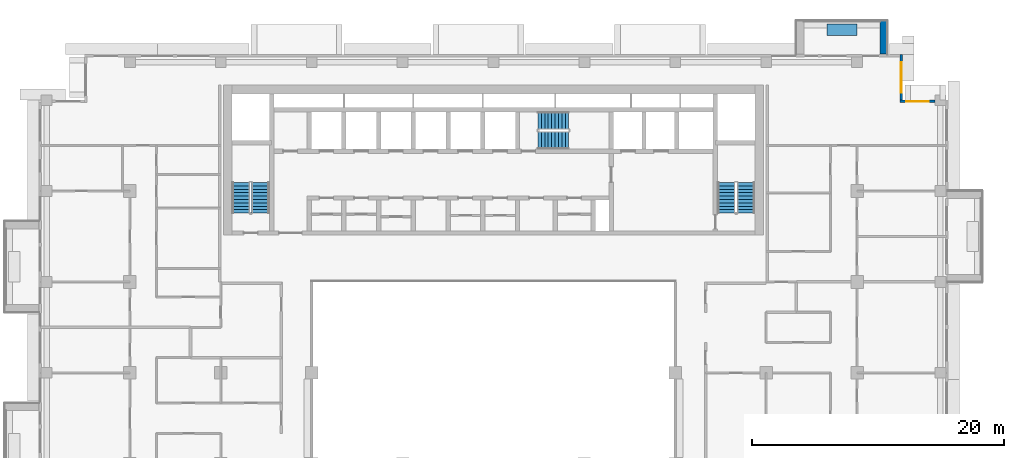
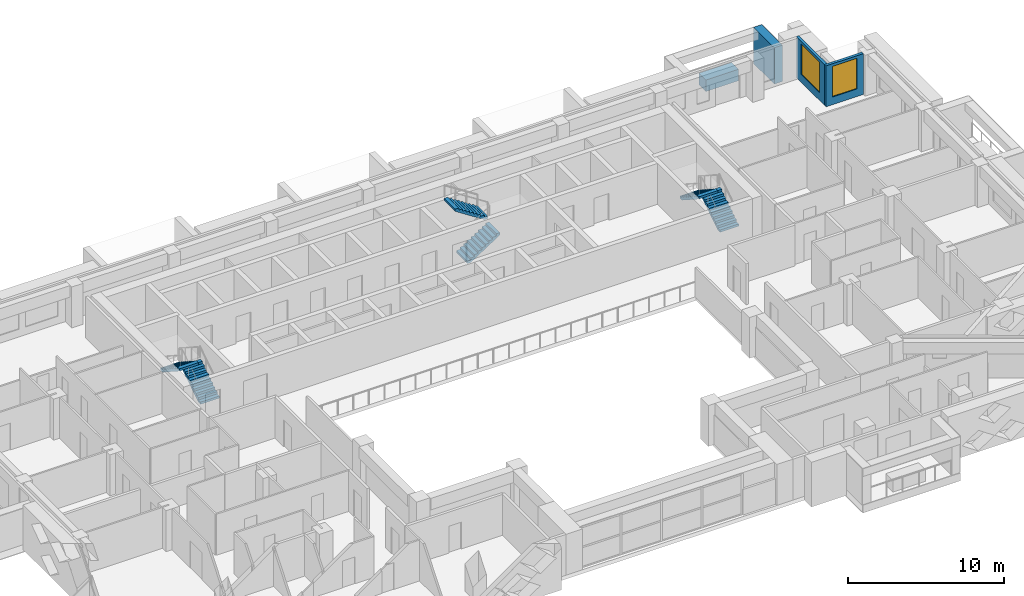
# One storey, part 13 of 20: 6 stair flights, 4 walls, 2 windows, 2 openings, 3 elements without a shape of their own.
"""IFC4 building model written with IfcOpenShell, lengths in metres."""

from ifc_helpers import new_model, si_unit, direction, frame, frame_2d, origin, place, context, subcontext, project, spatial, polyline, rectangle, outline, extrude, material, layer, layer_set, type_object, element, fill, aggregate, save


model = new_model("IFC4")

# Units and contexts
model_context = context("Model", 3, precision=1e-05, world=origin(), true_north=direction((0.0, 1.0)))
body_context = subcontext(model_context, "Body", "Model", "MODEL_VIEW")
ifc_project = project(units=[si_unit("LENGTHUNIT", "METRE"), si_unit("AREAUNIT", "SQUARE_METRE"), si_unit("VOLUMEUNIT", "CUBIC_METRE"), si_unit("PLANEANGLEUNIT", "RADIAN"), si_unit("MASSUNIT", "GRAM", prefix="KILO")], contexts=[model_context])

# Site, building, storey
site_placement = place(None, origin())
site = spatial("IfcSite", under=ifc_project, at=site_placement, CompositionType="ELEMENT")
building_placement = place(site_placement, origin())
building = spatial("IfcBuilding", under=site, at=building_placement, Name="Saffron Iwan Residences", CompositionType="ELEMENT")
storey_placement = place(building_placement, frame((0.0, 0.0, 157.0)))
storey = spatial("IfcBuildingStorey", under=building, at=storey_placement, Name="L41", CompositionType="ELEMENT", Elevation=157.0)

# Walls
ifc_material_1 = material(Name="Concrete C50/60 white painted", Category="concrete")
ifc_layer_1 = layer(ifc_material_1, 0.60009765625)
ifc_layer_set_1 = layer_set([ifc_layer_1], Name="Concrete C50/60 white painted")
wall_type_1 = type_object("IfcWallType", Name="BALCONY FIN 600", PredefinedType="SOLIDWALL", material=ifc_layer_set_1)
wall_1_placement = place(storey_placement, frame((81.300048828125, 80.449951171875, 0.0), z_axis=(0.0, 0.0, 1.0), x_axis=(0.0, 1.0, 0.0)))
element("IfcWall", 1, at=wall_1_placement, inside=storey, type_object=wall_type_1, Name="Balcony fin L41 F5-0a", PredefinedType="SOLIDWALL", context=body_context, shape_type="SweptSolid", body=[
    extrude(rectangle(XDim=2.650146484375, YDim=0.60009765625, at=frame_2d((1.3251953125, 0.0))), origin(), (0.0, 0.0, 1.0), 2.85009765625),
])
ifc_material_2 = material(Name="Concrete C35/45 white painted", Category="concrete")
ifc_layer_2 = layer(ifc_material_2, 0.14990234375)
ifc_layer_set_2 = layer_set([ifc_layer_2], Name="Concrete C35/45 white painted")
wall_type_2 = type_object("IfcWallType", Name="BALCONY PLANTER", PredefinedType="SOLIDWALL", material=ifc_layer_set_2)
wall_2_placement = place(storey_placement, frame((79.199951171875, 82.375, 0.0), z_axis=(0.0, 0.0, 1.0), x_axis=(-1.0, 0.0, 0.0)))
element("IfcWall", 2, at=wall_2_placement, inside=storey, type_object=wall_type_2, Name="PLANTER L41 F5-0", PredefinedType="SOLIDWALL", context=body_context, shape_type="SweptSolid", body=[
    extrude(rectangle(XDim=2.39990234375, YDim=0.89990234375, at=frame_2d((1.199951171875, 0.0))), origin(), (0.0, 0.0, 1.0), 0.89990234375),
])

# Wall, opening, window
ifc_material_3 = material(Name="Concrete C40/50", Category="concrete")
ifc_layer_3 = layer(ifc_material_3, 0.199951171875)
ifc_layer_set_3 = layer_set([ifc_layer_3], Name="Concrete C40/50")
wall_type_3 = type_object("IfcWallType", Name="EXTERNAL WALL 200", PredefinedType="SOLIDWALL", material=ifc_layer_set_3)
wall_3_placement = place(storey_placement, frame((85.375, 76.699951171875, 0.0), z_axis=(0.0, 0.0, 1.0), x_axis=(-1.0, 0.0, 0.0)))
wall_3 = element("IfcWall", 3, at=wall_3_placement, inside=storey, type_object=wall_type_3, Name="External wall L41 F3.0", PredefinedType="SOLIDWALL", context=body_context, shape_type="SweptSolid", body=[
    extrude(rectangle(XDim=2.77490234375, YDim=0.199951171875, at=frame_2d((1.387451171875, 0.0))), origin(), (0.0, 0.0, 1.0), 3.199951171875),
])
opening_1_placement = place(wall_3_placement, frame((0.487548828125, 0.0, 0.60009765625)))
opening_1 = element("IfcOpeningElement", 4, at=opening_1_placement, cuts=wall_3, Name="Opening W8", PredefinedType="OPENING", context=body_context, shape_type="SweptSolid", body=[
    extrude(rectangle(XDim=1.800048828125, YDim=2.39990234375, at=frame_2d((0.89990234375, 1.199951171875))), frame((0.0, 0.10986328125, 0.0), z_axis=(0.0, -1.0, 0.0), x_axis=(1.0, 0.0, 0.0)), (0.0, 0.0, 1.0), 0.219970703125),
])
ifc_material_4 = material(Name="Clear glass, laminated double glazed", Category="glass")
window_type_1 = type_object("IfcWindowType", Name="WINDOW 1800 x 2400", PartitioningType="DOUBLE_PANEL_VERTICAL", PredefinedType="WINDOW", material=ifc_material_4)
window_1_placement = place(opening_1_placement, origin())
window_1 = element("IfcWindow", 5, at=window_1_placement, inside=storey, type_object=window_type_1, Name="Window L41 F3.0", OverallHeight=2.39990234375, OverallWidth=1.800048828125, PartitioningType="DOUBLE_PANEL_VERTICAL", PredefinedType="WINDOW", context=body_context, shape_type="SweptSolid", body=[
    extrude(rectangle(XDim=1.800048828125, YDim=2.39990234375, at=frame_2d((0.89990234375, 1.199951171875))), frame((0.0, 0.030029296875, 0.0), z_axis=(0.0, -1.0, 0.0), x_axis=(1.0, 0.0, 0.0)), (0.0, 0.0, 1.0), 0.06005859375),
])
fill(opening_1, window_1)

wall_4_placement = place(storey_placement, frame((82.699951171875, 76.800048828125, 0.0), z_axis=(0.0, 0.0, 1.0), x_axis=(0.0, 1.0, 0.0)))
wall_4 = element("IfcWall", 6, at=wall_4_placement, inside=storey, type_object=wall_type_3, Name="External wall L41 F4.0", PredefinedType="SOLIDWALL", context=body_context, shape_type="SweptSolid", body=[
    extrude(rectangle(XDim=3.599853515625, YDim=0.199951171875, at=frame_2d((1.7998046875, 0.0))), origin(), (0.0, 0.0, 1.0), 3.199951171875),
])
opening_2_placement = place(wall_4_placement, frame((0.60009765625, 0.0, 0.60009765625)))
opening_2 = element("IfcOpeningElement", 7, at=opening_2_placement, cuts=wall_4, Name="Opening W1", PredefinedType="OPENING", context=body_context, shape_type="SweptSolid", body=[
    extrude(rectangle(XDim=2.39990234375, YDim=2.39990234375, at=frame_2d((1.199951171875, 1.199951171875))), frame((0.0, 0.10986328125, 0.0), z_axis=(0.0, -1.0, 0.0), x_axis=(1.0, 0.0, 0.0)), (0.0, 0.0, 1.0), 0.219970703125),
])
window_type_2 = type_object("IfcWindowType", Name="WINDOW 2400 x 2400", PartitioningType="DOUBLE_PANEL_VERTICAL", PredefinedType="WINDOW", material=ifc_material_4)
window_2_placement = place(opening_2_placement, origin())
window_2 = element("IfcWindow", 8, at=window_2_placement, inside=storey, type_object=window_type_2, Name="Window L41 F4.0", OverallHeight=2.39990234375, OverallWidth=2.39990234375, PartitioningType="DOUBLE_PANEL_VERTICAL", PredefinedType="WINDOW", context=body_context, shape_type="SweptSolid", body=[
    extrude(rectangle(XDim=2.39990234375, YDim=2.39990234375, at=frame_2d((1.199951171875, 1.199951171875))), frame((0.0, 0.030029296875, 0.0), z_axis=(0.0, -1.0, 0.0), x_axis=(1.0, 0.0, 0.0)), (0.0, 0.0, 1.0), 0.06005859375),
])
fill(opening_2, window_2)

# Stair, stair flights
ifc_material_5 = material(Name="Concrete C50/60", Category="concrete")
stair_type = type_object("IfcStairType", Name="Stair ST-CORE", PredefinedType="HALF_TURN_STAIR", material=ifc_material_5)
stair_1_placement = place(storey_placement, origin())
stair_1 = element("IfcStair", 9, at=stair_1_placement, inside=storey, type_object=stair_type, Name="L41 Exit Stair ST-W", PredefinedType="HALF_TURN_STAIR")
ifc_layer_4 = layer(ifc_material_5, 0.14990234375)
ifc_layer_set_4 = layer_set([ifc_layer_4], Name="Concrete C50/60")
stair_flight_type = type_object("IfcStairFlightType", Name="Stair flight SFL-RC", PredefinedType="STRAIGHT", material=ifc_layer_set_4)
stair_flight_1_placement = place(storey_placement, frame((31.949951171875, 67.85009765625, 0.0), z_axis=(0.0, 0.0, 1.0), x_axis=(0.0, 1.0, 0.0)))
stair_flight_1 = element("IfcStairFlight", 10, at=stair_flight_1_placement, type_object=stair_flight_type, Name="ST-W flight 1", NumberOfRisers=10, NumberOfTreads=9, PredefinedType="STRAIGHT", RiserHeight=0.175, TreadLength=0.27, context=body_context, shape_type="SweptSolid", body=[
    extrude(outline(polyline([(0.0, 0.0), (0.0, 0.175048828125), (0.27001953125, 0.175048828125), (0.27001953125, 0.35009765625), (0.5400390625, 0.35009765625), (0.5400390625, 0.52490234375), (0.81005859375, 0.52490234375), (0.81005859375, 0.699951171875), (1.080078125, 0.699951171875), (1.080078125, 0.875), (1.35009765625, 0.875), (1.35009765625, 1.050048828125), (1.6201171875, 1.050048828125), (1.6201171875, 1.22509765625), (1.889892578125, 1.22509765625), (1.889892578125, 1.39990234375), (2.159912109375, 1.39990234375), (2.159912109375, 1.574951171875), (2.429931640625, 1.574951171875), (2.429931640625, 1.75), (2.429931640625, 1.396484375), (0.275634765625, 0.0), (0.0, 0.0)])), frame((0.0, 0.699951171875, 0.0), z_axis=(0.0, -1.0, 0.0), x_axis=(1.0, 0.0, 0.0)), (0.0, 0.0, 1.0), 1.39990234375),
])
stair_flight_2_placement = place(storey_placement, frame((30.39990234375, 70.280029296875, 1.75), z_axis=(0.0, 0.0, 1.0), x_axis=(0.0, -1.0, 0.0)))
stair_flight_2 = element("IfcStairFlight", 11, at=stair_flight_2_placement, type_object=stair_flight_type, Name="ST-W flight 2", NumberOfRisers=10, NumberOfTreads=9, PredefinedType="STRAIGHT", RiserHeight=0.175, TreadLength=0.27, context=body_context, shape_type="SweptSolid", body=[
    extrude(outline(polyline([(0.0, 0.0), (0.0, 0.175048828125), (0.27001953125, 0.175048828125), (0.27001953125, 0.35009765625), (0.5400390625, 0.35009765625), (0.5400390625, 0.52490234375), (0.81005859375, 0.52490234375), (0.81005859375, 0.699951171875), (1.080078125, 0.699951171875), (1.080078125, 0.875), (1.35009765625, 0.875), (1.35009765625, 1.050048828125), (1.6201171875, 1.050048828125), (1.6201171875, 1.22509765625), (1.889892578125, 1.22509765625), (1.889892578125, 1.39990234375), (2.159912109375, 1.39990234375), (2.159912109375, 1.574951171875), (2.429931640625, 1.574951171875), (2.429931640625, 1.75), (2.429931640625, 1.396484375), (0.275634765625, 0.0), (0.0, 0.0)])), frame((0.0, 0.699951171875, 0.0), z_axis=(0.0, -1.0, 0.0), x_axis=(1.0, 0.0, 0.0)), (0.0, 0.0, 1.0), 1.39990234375),
])
aggregate(stair_1, [stair_flight_1, stair_flight_2])

stair_2_placement = place(storey_placement, origin())
stair_2 = element("IfcStair", 12, at=stair_2_placement, inside=storey, type_object=stair_type, Name="L41 Exit Stair ST-C", PredefinedType="HALF_TURN_STAIR")
stair_flight_3_placement = place(storey_placement, frame((53.925048828125, 73.625, 0.0), z_axis=(0.0, 0.0, 1.0), x_axis=(1.0, 0.0, 0.0)))
stair_flight_3 = element("IfcStairFlight", 13, at=stair_flight_3_placement, type_object=stair_flight_type, Name="ST-C flight 1", NumberOfRisers=10, NumberOfTreads=9, PredefinedType="STRAIGHT", RiserHeight=0.175, TreadLength=0.27, context=body_context, shape_type="SweptSolid", body=[
    extrude(outline(polyline([(0.0, 0.0), (0.0, 0.175048828125), (0.27001953125, 0.175048828125), (0.27001953125, 0.35009765625), (0.5400390625, 0.35009765625), (0.5400390625, 0.52490234375), (0.81005859375, 0.52490234375), (0.81005859375, 0.699951171875), (1.080078125, 0.699951171875), (1.080078125, 0.875), (1.35009765625, 0.875), (1.35009765625, 1.050048828125), (1.6201171875, 1.050048828125), (1.6201171875, 1.22509765625), (1.889892578125, 1.22509765625), (1.889892578125, 1.39990234375), (2.159912109375, 1.39990234375), (2.159912109375, 1.574951171875), (2.429931640625, 1.574951171875), (2.429931640625, 1.75), (2.429931640625, 1.396484375), (0.275634765625, 0.0), (0.0, 0.0)])), frame((0.0, 0.699951171875, 0.0), z_axis=(0.0, -1.0, 0.0), x_axis=(1.0, 0.0, 0.0)), (0.0, 0.0, 1.0), 1.39990234375),
])
stair_flight_4_placement = place(storey_placement, frame((56.35498046875, 75.175048828125, 1.75), z_axis=(0.0, 0.0, 1.0), x_axis=(-1.0, 0.0, 0.0)))
stair_flight_4 = element("IfcStairFlight", 14, at=stair_flight_4_placement, type_object=stair_flight_type, Name="ST-C flight 2", NumberOfRisers=10, NumberOfTreads=9, PredefinedType="STRAIGHT", RiserHeight=0.175, TreadLength=0.27, context=body_context, shape_type="SweptSolid", body=[
    extrude(outline(polyline([(0.0, 0.0), (0.0, 0.175048828125), (0.27001953125, 0.175048828125), (0.27001953125, 0.35009765625), (0.5400390625, 0.35009765625), (0.5400390625, 0.52490234375), (0.81005859375, 0.52490234375), (0.81005859375, 0.699951171875), (1.080078125, 0.699951171875), (1.080078125, 0.875), (1.35009765625, 0.875), (1.35009765625, 1.050048828125), (1.6201171875, 1.050048828125), (1.6201171875, 1.22509765625), (1.889892578125, 1.22509765625), (1.889892578125, 1.39990234375), (2.159912109375, 1.39990234375), (2.159912109375, 1.574951171875), (2.429931640625, 1.574951171875), (2.429931640625, 1.75), (2.429931640625, 1.396484375), (0.275634765625, 0.0), (0.0, 0.0)])), frame((0.0, 0.699951171875, 0.0), z_axis=(0.0, -1.0, 0.0), x_axis=(1.0, 0.0, 0.0)), (0.0, 0.0, 1.0), 1.39990234375),
])
aggregate(stair_2, [stair_flight_3, stair_flight_4])

stair_3_placement = place(storey_placement, origin())
stair_3 = element("IfcStair", 15, at=stair_3_placement, inside=storey, type_object=stair_type, Name="L41 Exit Stair ST-E", PredefinedType="HALF_TURN_STAIR")
stair_flight_5_placement = place(storey_placement, frame((70.39990234375, 67.85009765625, 0.0), z_axis=(0.0, 0.0, 1.0), x_axis=(0.0, 1.0, 0.0)))
stair_flight_5 = element("IfcStairFlight", 16, at=stair_flight_5_placement, type_object=stair_flight_type, Name="ST-E flight 1", NumberOfRisers=10, NumberOfTreads=9, PredefinedType="STRAIGHT", RiserHeight=0.175, TreadLength=0.27, context=body_context, shape_type="SweptSolid", body=[
    extrude(outline(polyline([(0.0, 0.0), (0.0, 0.175048828125), (0.27001953125, 0.175048828125), (0.27001953125, 0.35009765625), (0.5400390625, 0.35009765625), (0.5400390625, 0.52490234375), (0.81005859375, 0.52490234375), (0.81005859375, 0.699951171875), (1.080078125, 0.699951171875), (1.080078125, 0.875), (1.35009765625, 0.875), (1.35009765625, 1.050048828125), (1.6201171875, 1.050048828125), (1.6201171875, 1.22509765625), (1.889892578125, 1.22509765625), (1.889892578125, 1.39990234375), (2.159912109375, 1.39990234375), (2.159912109375, 1.574951171875), (2.429931640625, 1.574951171875), (2.429931640625, 1.75), (2.429931640625, 1.396484375), (0.275634765625, 0.0), (0.0, 0.0)])), frame((0.0, 0.699951171875, 0.0), z_axis=(0.0, -1.0, 0.0), x_axis=(1.0, 0.0, 0.0)), (0.0, 0.0, 1.0), 1.39990234375),
])
stair_flight_6_placement = place(storey_placement, frame((68.85009765625, 70.280029296875, 1.75), z_axis=(0.0, 0.0, 1.0), x_axis=(0.0, -1.0, 0.0)))
stair_flight_6 = element("IfcStairFlight", 17, at=stair_flight_6_placement, type_object=stair_flight_type, Name="ST-E flight 2", NumberOfRisers=10, NumberOfTreads=9, PredefinedType="STRAIGHT", RiserHeight=0.175, TreadLength=0.27, context=body_context, shape_type="SweptSolid", body=[
    extrude(outline(polyline([(0.0, 0.0), (0.0, 0.175048828125), (0.27001953125, 0.175048828125), (0.27001953125, 0.35009765625), (0.5400390625, 0.35009765625), (0.5400390625, 0.52490234375), (0.81005859375, 0.52490234375), (0.81005859375, 0.699951171875), (1.080078125, 0.699951171875), (1.080078125, 0.875), (1.35009765625, 0.875), (1.35009765625, 1.050048828125), (1.6201171875, 1.050048828125), (1.6201171875, 1.22509765625), (1.889892578125, 1.22509765625), (1.889892578125, 1.39990234375), (2.159912109375, 1.39990234375), (2.159912109375, 1.574951171875), (2.429931640625, 1.574951171875), (2.429931640625, 1.75), (2.429931640625, 1.396484375), (0.275634765625, 0.0), (0.0, 0.0)])), frame((0.0, 0.699951171875, 0.0), z_axis=(0.0, -1.0, 0.0), x_axis=(1.0, 0.0, 0.0)), (0.0, 0.0, 1.0), 1.39990234375),
])
aggregate(stair_3, [stair_flight_5, stair_flight_6])

save(model, "model.ifc")
